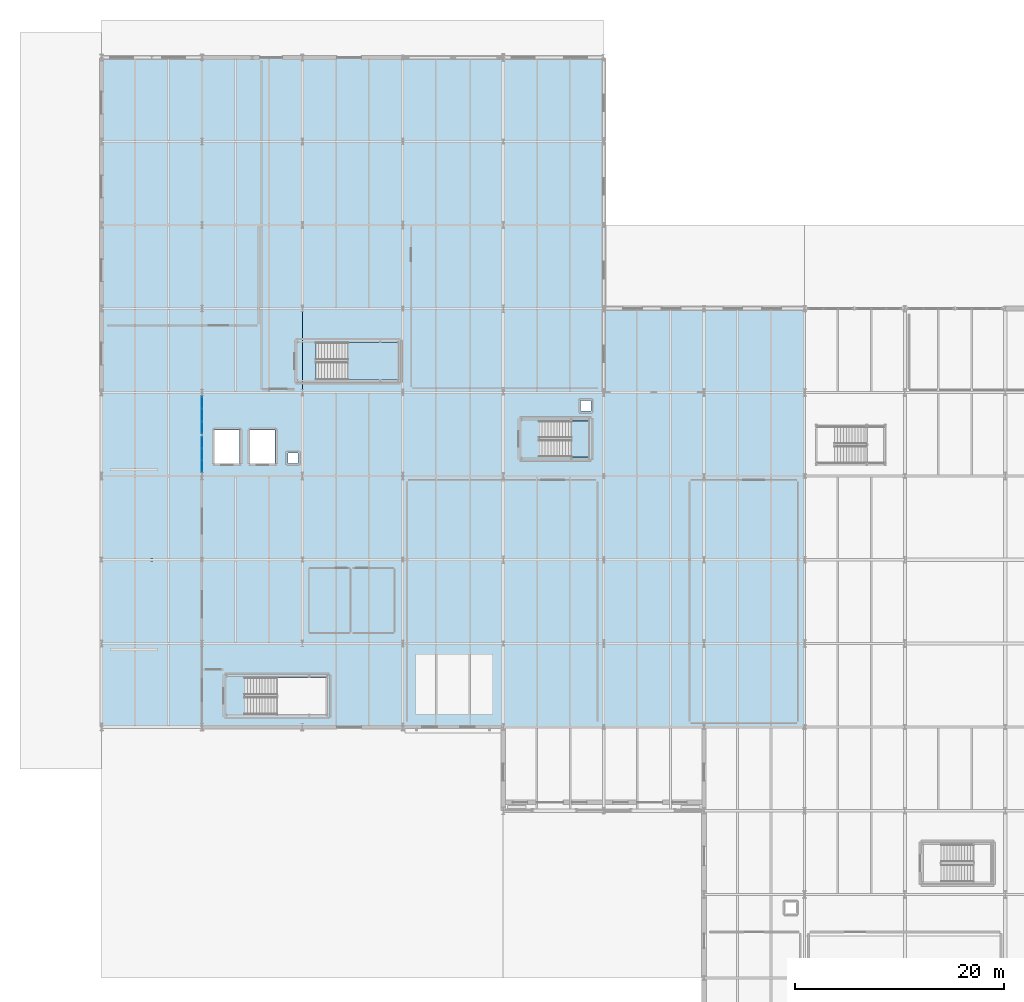
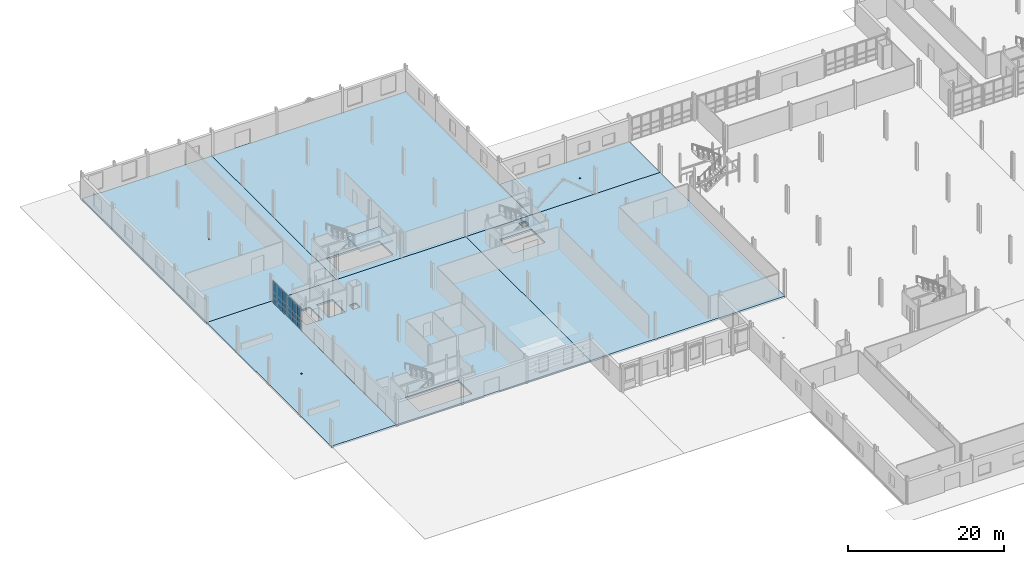
# One storey, part 49 of 78: 18 plates, 8 slabs, 4 elements without a shape of their own.
"""IFC4 building model written with IfcOpenShell, lengths in metres."""

from ifc_helpers import new_model, si_unit, direction, frame, origin, origin_2d, place, context, subcontext, project, spatial, polyline, rectangle, outline, extrude, material, layer, layer_set, type_object, element, aggregate, save


model = new_model("IFC4")

# Units and contexts
model_context = context("Model", 3, precision=1e-05, world=origin(), true_north=direction((0.0, 1.0)))
body_context = subcontext(model_context, "Body", "Model", "MODEL_VIEW")
ifc_project = project(units=[si_unit("LENGTHUNIT", "METRE"), si_unit("AREAUNIT", "SQUARE_METRE"), si_unit("VOLUMEUNIT", "CUBIC_METRE"), si_unit("PLANEANGLEUNIT", "RADIAN"), si_unit("MASSUNIT", "GRAM", prefix="KILO")], contexts=[model_context])

# Site, building, storey
site_placement = place(None, origin())
site = spatial("IfcSite", under=ifc_project, at=site_placement, CompositionType="ELEMENT")
building_placement = place(site_placement, origin())
building = spatial("IfcBuilding", under=site, at=building_placement, Name="Alderhovde Museum", CompositionType="ELEMENT")
storey_placement = place(building_placement, origin())
storey = spatial("IfcBuildingStorey", under=building, at=storey_placement, Name="L00", CompositionType="ELEMENT", Elevation=0.0)

# Curtain wall, plates
ifc_material_1 = material(Name="Triple-Glazed Bronze-Anodised Curtain Wall", Category="glass")
ifc_layer_1 = layer(ifc_material_1, 0.219970703125)
ifc_layer_set_1 = layer_set([ifc_layer_1], Name="Triple-Glazed Bronze-Anodised Curtain Wall")
curtain_wall_type_1 = type_object("IfcCurtainWallType", Name="CW-STIC-345x356", PredefinedType="USERDEFINED", material=ifc_layer_set_1)
curtain_wall_1_placement = place(storey_placement, origin())
curtain_wall_1 = element("IfcCurtainWall", 1, at=curtain_wall_1_placement, inside=storey, type_object=curtain_wall_type_1, Name="L00 Stick Curtain Wall 1", ObjectType="STICK CURTAIN WALL", PredefinedType="USERDEFINED")
ifc_material_2 = material(Name="Triple-Glazed Low-E Laminated Glass", Category="glass")
ifc_layer_2 = layer(ifc_material_2, 0.035888671875)
ifc_layer_set_2 = layer_set([ifc_layer_2], Name="Triple-Glazed Low-E Laminated Glass")
plate_type_1 = type_object("IfcPlateType", Name="CWP-GLAZ-36", PredefinedType="CURTAIN_PANEL", material=ifc_layer_set_2)
plate_1_placement = place(storey_placement, frame((19.199951171875, 72.94384765625, 0.074951171875), z_axis=(0.0, 0.0, 1.0), x_axis=(0.0, 1.0, 0.0)))
plate_1 = element("IfcPlate", 2, at=plate_1_placement, type_object=plate_type_1, Name="CW01 panel 1.1", PredefinedType="CURTAIN_PANEL", context=body_context, shape_type="SweptSolid", body=[
    extrude(rectangle(XDim=1.03759765625, YDim=0.035888671875, at=origin_2d()), origin(), (0.0, 0.0, 1.0), 0.78759765625),
])
plate_2_placement = place(storey_placement, frame((19.199951171875, 72.94384765625, 0.9375), z_axis=(0.0, 0.0, 1.0), x_axis=(0.0, 1.0, 0.0)))
plate_2 = element("IfcPlate", 3, at=plate_2_placement, type_object=plate_type_1, Name="CW01 panel 1.2", PredefinedType="CURTAIN_PANEL", context=body_context, shape_type="SweptSolid", body=[
    extrude(rectangle(XDim=1.03759765625, YDim=0.035888671875, at=origin_2d()), origin(), (0.0, 0.0, 1.0), 0.804931640625),
])
plate_3_placement = place(storey_placement, frame((19.199951171875, 72.94384765625, 1.817626953125), z_axis=(0.0, 0.0, 1.0), x_axis=(0.0, 1.0, 0.0)))
plate_3 = element("IfcPlate", 4, at=plate_3_placement, type_object=plate_type_1, Name="CW01 panel 1.3", PredefinedType="CURTAIN_PANEL", context=body_context, shape_type="SweptSolid", body=[
    extrude(rectangle(XDim=1.03759765625, YDim=0.035888671875, at=origin_2d()), origin(), (0.0, 0.0, 1.0), 1.66748046875),
])
plate_4_placement = place(storey_placement, frame((19.199951171875, 74.074951171875, 0.074951171875), z_axis=(0.0, 0.0, 1.0), x_axis=(0.0, 1.0, 0.0)))
plate_4 = element("IfcPlate", 5, at=plate_4_placement, type_object=plate_type_1, Name="CW01 panel 2.1", PredefinedType="CURTAIN_PANEL", context=body_context, shape_type="SweptSolid", body=[
    extrude(rectangle(XDim=1.074951171875, YDim=0.035888671875, at=origin_2d()), origin(), (0.0, 0.0, 1.0), 0.78759765625),
])
plate_5_placement = place(storey_placement, frame((19.199951171875, 74.074951171875, 0.9375), z_axis=(0.0, 0.0, 1.0), x_axis=(0.0, 1.0, 0.0)))
plate_5 = element("IfcPlate", 6, at=plate_5_placement, type_object=plate_type_1, Name="CW01 panel 2.2", PredefinedType="CURTAIN_PANEL", context=body_context, shape_type="SweptSolid", body=[
    extrude(rectangle(XDim=1.074951171875, YDim=0.035888671875, at=origin_2d()), origin(), (0.0, 0.0, 1.0), 0.804931640625),
])
plate_6_placement = place(storey_placement, frame((19.199951171875, 74.074951171875, 1.817626953125), z_axis=(0.0, 0.0, 1.0), x_axis=(0.0, 1.0, 0.0)))
plate_6 = element("IfcPlate", 7, at=plate_6_placement, type_object=plate_type_1, Name="CW01 panel 2.3", PredefinedType="CURTAIN_PANEL", context=body_context, shape_type="SweptSolid", body=[
    extrude(rectangle(XDim=1.074951171875, YDim=0.035888671875, at=origin_2d()), origin(), (0.0, 0.0, 1.0), 1.66748046875),
])
plate_7_placement = place(storey_placement, frame((19.199951171875, 75.206298828125, 0.074951171875), z_axis=(0.0, 0.0, 1.0), x_axis=(0.0, 1.0, 0.0)))
plate_7 = element("IfcPlate", 8, at=plate_7_placement, type_object=plate_type_1, Name="CW01 panel 3.1", PredefinedType="CURTAIN_PANEL", context=body_context, shape_type="SweptSolid", body=[
    extrude(rectangle(XDim=1.03759765625, YDim=0.035888671875, at=origin_2d()), origin(), (0.0, 0.0, 1.0), 0.78759765625),
])
plate_8_placement = place(storey_placement, frame((19.199951171875, 75.206298828125, 0.9375), z_axis=(0.0, 0.0, 1.0), x_axis=(0.0, 1.0, 0.0)))
plate_8 = element("IfcPlate", 9, at=plate_8_placement, type_object=plate_type_1, Name="CW01 panel 3.2", PredefinedType="CURTAIN_PANEL", context=body_context, shape_type="SweptSolid", body=[
    extrude(rectangle(XDim=1.03759765625, YDim=0.035888671875, at=origin_2d()), origin(), (0.0, 0.0, 1.0), 0.804931640625),
])
plate_9_placement = place(storey_placement, frame((19.199951171875, 75.206298828125, 1.817626953125), z_axis=(0.0, 0.0, 1.0), x_axis=(0.0, 1.0, 0.0)))
plate_9 = element("IfcPlate", 10, at=plate_9_placement, type_object=plate_type_1, Name="CW01 panel 3.3", PredefinedType="CURTAIN_PANEL", context=body_context, shape_type="SweptSolid", body=[
    extrude(rectangle(XDim=1.03759765625, YDim=0.035888671875, at=origin_2d()), origin(), (0.0, 0.0, 1.0), 1.66748046875),
])
aggregate(curtain_wall_1, [plate_1, plate_2, plate_3, plate_4, plate_5, plate_6, plate_7, plate_8, plate_9])

ifc_material_3 = material(Name="Triple-Glazed Bronze-Anodised Curtain Wall", Category="glass")
ifc_layer_3 = layer(ifc_material_3, 0.219970703125)
ifc_layer_set_3 = layer_set([ifc_layer_3], Name="Triple-Glazed Bronze-Anodised Curtain Wall")
curtain_wall_type_2 = type_object("IfcCurtainWallType", Name="CW-STIC-365x356", PredefinedType="USERDEFINED", material=ifc_layer_set_3)
curtain_wall_2_placement = place(storey_placement, origin())
curtain_wall_2 = element("IfcCurtainWall", 11, at=curtain_wall_2_placement, inside=storey, type_object=curtain_wall_type_2, Name="L00 Stick Curtain Wall 2", ObjectType="STICK CURTAIN WALL", PredefinedType="USERDEFINED")
ifc_material_4 = material(Name="Triple-Glazed Low-E Laminated Glass", Category="glass")
ifc_layer_4 = layer(ifc_material_4, 0.0439453125)
ifc_layer_set_4 = layer_set([ifc_layer_4], Name="Triple-Glazed Low-E Laminated Glass")
plate_type_2 = type_object("IfcPlateType", Name="CWP-GLAZ-44", PredefinedType="CURTAIN_PANEL", material=ifc_layer_set_4)
plate_10_placement = place(storey_placement, frame((19.199951171875, 76.627197265625, 0.074951171875), z_axis=(0.0, 0.0, 1.0), x_axis=(0.0, 1.0, 0.0)))
plate_10 = element("IfcPlate", 12, at=plate_10_placement, type_object=plate_type_2, Name="CW02 panel 1.1", PredefinedType="CURTAIN_PANEL", context=body_context, shape_type="SweptSolid", body=[
    extrude(rectangle(XDim=1.104248046875, YDim=0.0439453125, at=origin_2d()), origin(), (0.0, 0.0, 1.0), 0.78759765625),
])
plate_11_placement = place(storey_placement, frame((19.199951171875, 76.627197265625, 0.9375), z_axis=(0.0, 0.0, 1.0), x_axis=(0.0, 1.0, 0.0)))
plate_11 = element("IfcPlate", 13, at=plate_11_placement, type_object=plate_type_2, Name="CW02 panel 1.2", PredefinedType="CURTAIN_PANEL", context=body_context, shape_type="SweptSolid", body=[
    extrude(rectangle(XDim=1.104248046875, YDim=0.0439453125, at=origin_2d()), origin(), (0.0, 0.0, 1.0), 0.804931640625),
])
plate_12_placement = place(storey_placement, frame((19.199951171875, 76.627197265625, 1.817626953125), z_axis=(0.0, 0.0, 1.0), x_axis=(0.0, 1.0, 0.0)))
plate_12 = element("IfcPlate", 14, at=plate_12_placement, type_object=plate_type_2, Name="CW02 panel 1.3", PredefinedType="CURTAIN_PANEL", context=body_context, shape_type="SweptSolid", body=[
    extrude(rectangle(XDim=1.104248046875, YDim=0.0439453125, at=origin_2d()), origin(), (0.0, 0.0, 1.0), 1.66748046875),
])
plate_13_placement = place(storey_placement, frame((19.199951171875, 77.824951171875, 0.074951171875), z_axis=(0.0, 0.0, 1.0), x_axis=(0.0, 1.0, 0.0)))
plate_13 = element("IfcPlate", 15, at=plate_13_placement, type_object=plate_type_2, Name="CW02 panel 2.1", PredefinedType="CURTAIN_PANEL", context=body_context, shape_type="SweptSolid", body=[
    extrude(rectangle(XDim=1.1416015625, YDim=0.0439453125, at=origin_2d()), origin(), (0.0, 0.0, 1.0), 0.78759765625),
])
plate_14_placement = place(storey_placement, frame((19.199951171875, 77.824951171875, 0.9375), z_axis=(0.0, 0.0, 1.0), x_axis=(0.0, 1.0, 0.0)))
plate_14 = element("IfcPlate", 16, at=plate_14_placement, type_object=plate_type_2, Name="CW02 panel 2.2", PredefinedType="CURTAIN_PANEL", context=body_context, shape_type="SweptSolid", body=[
    extrude(rectangle(XDim=1.1416015625, YDim=0.0439453125, at=origin_2d()), origin(), (0.0, 0.0, 1.0), 0.804931640625),
])
plate_15_placement = place(storey_placement, frame((19.199951171875, 77.824951171875, 1.817626953125), z_axis=(0.0, 0.0, 1.0), x_axis=(0.0, 1.0, 0.0)))
plate_15 = element("IfcPlate", 17, at=plate_15_placement, type_object=plate_type_2, Name="CW02 panel 2.3", PredefinedType="CURTAIN_PANEL", context=body_context, shape_type="SweptSolid", body=[
    extrude(rectangle(XDim=1.1416015625, YDim=0.0439453125, at=origin_2d()), origin(), (0.0, 0.0, 1.0), 1.66748046875),
])
plate_16_placement = place(storey_placement, frame((19.199951171875, 79.02294921875, 0.074951171875), z_axis=(0.0, 0.0, 1.0), x_axis=(0.0, 1.0, 0.0)))
plate_16 = element("IfcPlate", 18, at=plate_16_placement, type_object=plate_type_2, Name="CW02 panel 3.1", PredefinedType="CURTAIN_PANEL", context=body_context, shape_type="SweptSolid", body=[
    extrude(rectangle(XDim=1.104248046875, YDim=0.0439453125, at=origin_2d()), origin(), (0.0, 0.0, 1.0), 0.78759765625),
])
plate_17_placement = place(storey_placement, frame((19.199951171875, 79.02294921875, 0.9375), z_axis=(0.0, 0.0, 1.0), x_axis=(0.0, 1.0, 0.0)))
plate_17 = element("IfcPlate", 19, at=plate_17_placement, type_object=plate_type_2, Name="CW02 panel 3.2", PredefinedType="CURTAIN_PANEL", context=body_context, shape_type="SweptSolid", body=[
    extrude(rectangle(XDim=1.104248046875, YDim=0.0439453125, at=origin_2d()), origin(), (0.0, 0.0, 1.0), 0.804931640625),
])
plate_18_placement = place(storey_placement, frame((19.199951171875, 79.02294921875, 1.817626953125), z_axis=(0.0, 0.0, 1.0), x_axis=(0.0, 1.0, 0.0)))
plate_18 = element("IfcPlate", 20, at=plate_18_placement, type_object=plate_type_2, Name="CW02 panel 3.3", PredefinedType="CURTAIN_PANEL", context=body_context, shape_type="SweptSolid", body=[
    extrude(rectangle(XDim=1.104248046875, YDim=0.0439453125, at=origin_2d()), origin(), (0.0, 0.0, 1.0), 1.66748046875),
])
aggregate(curtain_wall_2, [plate_10, plate_11, plate_12, plate_13, plate_14, plate_15, plate_16, plate_17, plate_18])

# Slabs
ifc_material_5 = material(Name="Concrete C35/45", Category="concrete")
ifc_layer_5 = layer(ifc_material_5, 0.280029296875)
ifc_layer_set_5 = layer_set([ifc_layer_5], Name="Concrete C35/45")
slab_type_1 = type_object("IfcSlabType", Name="SLB-FLR-280", PredefinedType="FLOOR", material=ifc_layer_set_5)
slab_1_placement = place(storey_placement, frame((0.0, 0.0, -0.280029296875)))
element("IfcSlab", 21, at=slab_1_placement, inside=storey, type_object=slab_type_1, Name="L00 VOL1 Structural Slab", PredefinedType="FLOOR", context=body_context, shape_type="SweptSolid", body=[
    extrude(outline(polyline([(19.199951171875, 48.0), (48.0, 48.0), (48.0, 80.0), (19.199951171875, 80.0), (19.199951171875, 48.0)]), holes=[polyline([(23.31005859375, 49.199951171875), (31.1201171875, 49.199951171875), (31.1201171875, 52.760009765625), (23.31005859375, 52.760009765625), (23.31005859375, 49.199951171875)]), polyline([(20.39990234375, 73.199951171875), (22.800048828125, 73.199951171875), (22.800048828125, 76.39990234375), (20.39990234375, 76.39990234375), (20.39990234375, 73.199951171875)]), polyline([(23.800048828125, 73.199951171875), (26.199951171875, 73.199951171875), (26.199951171875, 76.39990234375), (23.800048828125, 76.39990234375), (23.800048828125, 73.199951171875)]), polyline([(27.39990234375, 73.199951171875), (28.39990234375, 73.199951171875), (28.39990234375, 74.199951171875), (27.39990234375, 74.199951171875), (27.39990234375, 73.199951171875)])]), origin(), (0.0, 0.0, 1.0), 0.280029296875),
])
slab_2_placement = place(storey_placement, frame((0.0, 0.0, -0.280029296875)))
element("IfcSlab", 22, at=slab_2_placement, inside=storey, type_object=slab_type_1, Name="L00 VOL1 Structural Slab", PredefinedType="FLOOR", context=body_context, shape_type="SweptSolid", body=[
    extrude(outline(polyline([(48.0, 48.0), (76.800048828125, 48.0), (76.800048828125, 80.0), (48.0, 80.0), (48.0, 48.0)]), holes=[polyline([(51.469970703125, 73.800048828125), (56.159912109375, 73.800048828125), (56.159912109375, 77.280029296875), (51.469970703125, 77.280029296875), (51.469970703125, 73.800048828125)]), polyline([(55.39990234375, 78.199951171875), (56.39990234375, 78.199951171875), (56.39990234375, 79.199951171875), (55.39990234375, 79.199951171875), (55.39990234375, 78.199951171875)])]), origin(), (0.0, 0.0, 1.0), 0.280029296875),
])
slab_3_placement = place(storey_placement, frame((0.0, 0.0, -0.280029296875)))
element("IfcSlab", 23, at=slab_3_placement, inside=storey, type_object=slab_type_1, Name="L00 VOL2 Structural Slab", PredefinedType="FLOOR", context=body_context, shape_type="SweptSolid", body=[
    extrude(outline(polyline([(57.60009765625, 80.0), (76.800048828125, 80.0), (76.800048828125, 88.0), (57.60009765625, 88.0), (57.60009765625, 80.0)]), holes=[polyline([(67.090087890625, 83.889892578125), (67.31005859375, 83.889892578125), (67.31005859375, 84.110107421875), (67.090087890625, 84.110107421875), (67.090087890625, 83.889892578125)])]), origin(), (0.0, 0.0, 1.0), 0.280029296875),
])
slab_4_placement = place(storey_placement, frame((0.0, 0.0, -0.280029296875)))
element("IfcSlab", 24, at=slab_4_placement, inside=storey, type_object=slab_type_1, Name="L00 VOL4 Structural Slab", PredefinedType="FLOOR", context=body_context, shape_type="SweptSolid", body=[
    extrude(outline(polyline([(9.60009765625, 80.0), (28.800048828125, 80.0), (28.800048828125, 112.0), (9.60009765625, 112.0), (9.60009765625, 80.0)]), holes=[polyline([(19.090087890625, 95.889892578125), (19.31005859375, 95.889892578125), (19.31005859375, 96.110107421875), (19.090087890625, 96.110107421875), (19.090087890625, 95.889892578125)])]), origin(), (0.0, 0.0, 1.0), 0.280029296875),
])
slab_5_placement = place(storey_placement, frame((0.0, 0.0, -0.280029296875)))
element("IfcSlab", 25, at=slab_5_placement, inside=storey, type_object=slab_type_1, Name="L00 VOL4 Structural Slab", PredefinedType="FLOOR", context=body_context, shape_type="SweptSolid", body=[
    extrude(outline(polyline([(28.800048828125, 80.0), (57.60009765625, 80.0), (57.60009765625, 112.0), (28.800048828125, 112.0), (28.800048828125, 80.0)]), holes=[polyline([(30.110107421875, 81.199951171875), (37.919921875, 81.199951171875), (37.919921875, 84.760009765625), (30.110107421875, 84.760009765625), (30.110107421875, 81.199951171875)])]), origin(), (0.0, 0.0, 1.0), 0.280029296875),
])

# Stair, slab
ifc_material_6 = material(Name="Concrete C35/45", Category="concrete")
stair_type = type_object("IfcStairType", Name="STR-1500-4500", PredefinedType="HALF_TURN_STAIR", material=ifc_material_6)
stair_1_placement = place(storey_placement, origin())
stair_1 = element("IfcStair", 26, at=stair_1_placement, inside=storey, type_object=stair_type, Name="L00 Escape Stair ST2", PredefinedType="HALF_TURN_STAIR")
ifc_material_7 = material(Name="Concrete C35/45", Category="concrete")
ifc_layer_6 = layer(ifc_material_7, 0.199951171875)
ifc_layer_set_6 = layer_set([ifc_layer_6], Name="Concrete C35/45")
slab_type_2 = type_object("IfcSlabType", Name="SLB-LANDING-200", PredefinedType="LANDING", material=ifc_layer_set_6)
slab_6_placement = place(storey_placement, frame((0.0, 0.0, 2.050048828125)))
slab_6 = element("IfcSlab", 27, at=slab_6_placement, type_object=slab_type_2, Name="ST2 landing 1", PredefinedType="LANDING", context=body_context, shape_type="SweptSolid", body=[
    extrude(outline(polyline([(33.159912109375, 81.199951171875), (37.919921875, 81.199951171875), (37.919921875, 84.760009765625), (33.159912109375, 84.760009765625), (33.159912109375, 81.199951171875)])), origin(), (0.0, 0.0, 1.0), 0.199951171875),
])
aggregate(stair_1, [slab_6])

stair_2_placement = place(storey_placement, origin())
stair_2 = element("IfcStair", 28, at=stair_2_placement, inside=storey, type_object=stair_type, Name="L00 Gallery Stair ST6", PredefinedType="HALF_TURN_STAIR")
slab_7_placement = place(storey_placement, frame((0.0, 0.0, 2.050048828125)))
slab_7 = element("IfcSlab", 29, at=slab_7_placement, type_object=slab_type_2, Name="ST6 landing 1", PredefinedType="LANDING", context=body_context, shape_type="SweptSolid", body=[
    extrude(outline(polyline([(54.52001953125, 73.800048828125), (56.159912109375, 73.800048828125), (56.159912109375, 77.280029296875), (54.52001953125, 77.280029296875), (54.52001953125, 73.800048828125)])), origin(), (0.0, 0.0, 1.0), 0.199951171875),
])
aggregate(stair_2, [slab_7])

# Slab
ifc_material_8 = material(Name="Concrete C40/50", Category="concrete")
ifc_layer_7 = layer(ifc_material_8, 0.284912109375)
ifc_layer_set_7 = layer_set([ifc_layer_7], Name="Concrete C40/50")
slab_type_3 = type_object("IfcSlabType", Name="SLB-PROW-285", PredefinedType="FLOOR", material=ifc_layer_set_7)
slab_8_placement = place(storey_placement, frame((0.0, 0.0, -0.280029296875)))
element("IfcSlab", 30, at=slab_8_placement, inside=storey, type_object=slab_type_3, Name="L00 VOL1 Structural Slab", PredefinedType="FLOOR", context=body_context, shape_type="SweptSolid", body=[
    extrude(outline(polyline([(9.60009765625, 48.0), (19.199951171875, 48.0), (19.199951171875, 80.0), (9.60009765625, 80.0), (9.60009765625, 48.0)]), holes=[polyline([(14.2900390625, 63.889892578125), (14.510009765625, 63.889892578125), (14.510009765625, 64.110107421875), (14.2900390625, 64.110107421875), (14.2900390625, 63.889892578125)])]), origin(), (0.0, 0.0, 1.0), 0.280029296875),
])

save(model, "model.ifc")
